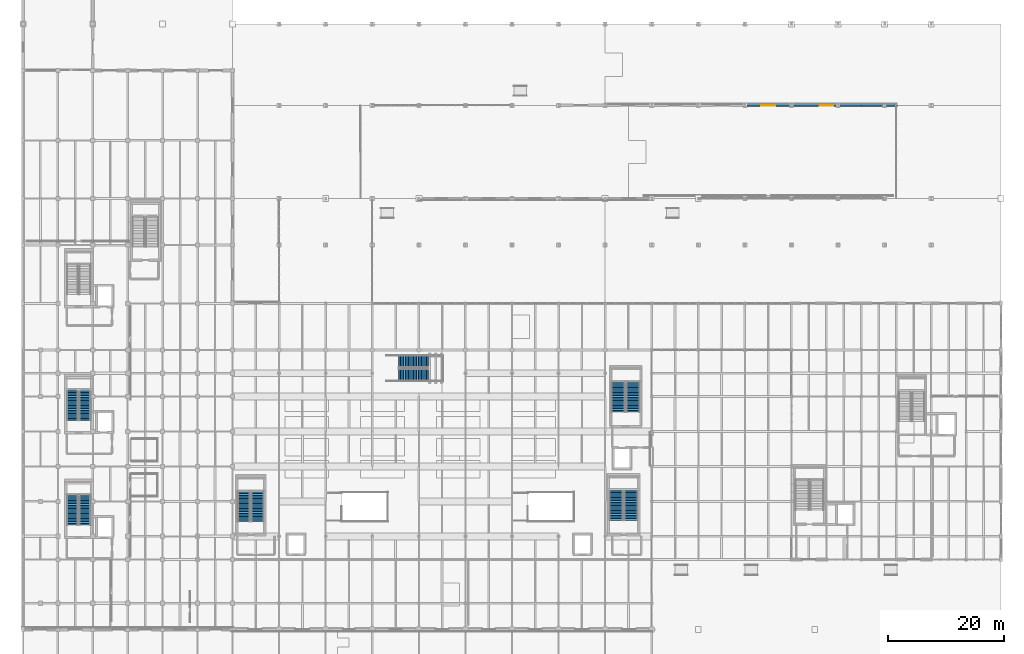
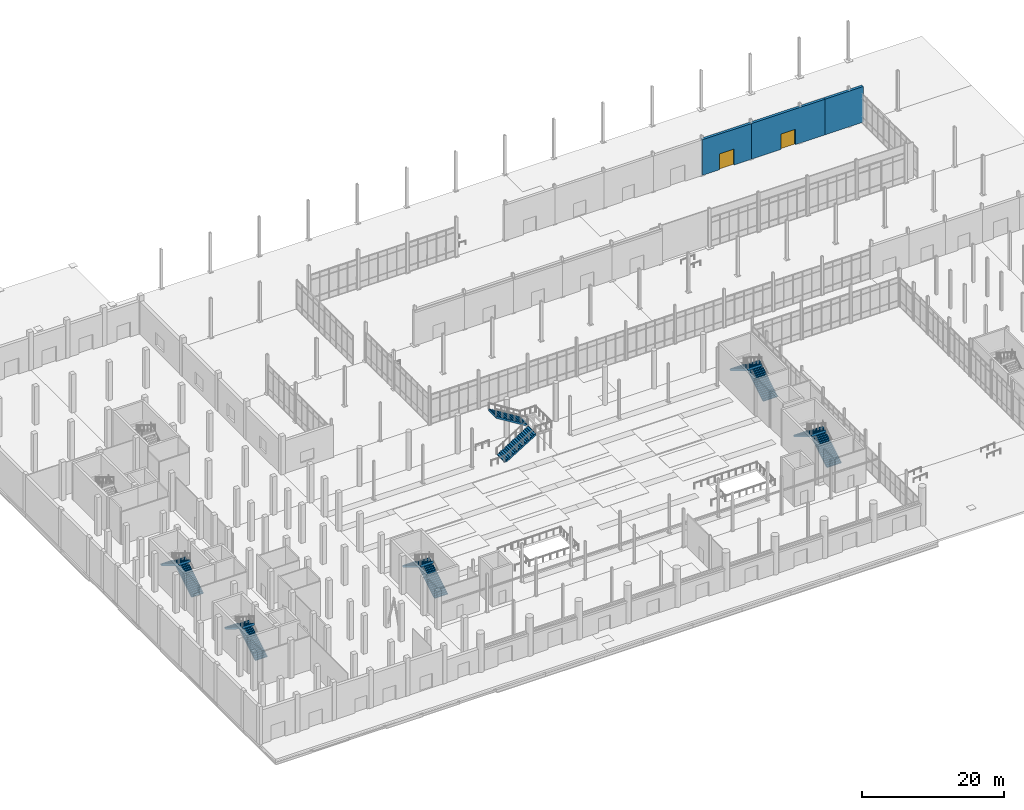
# One storey, part 127 of 140: 12 stair flights, 3 walls, 2 doors, 2 openings, 6 elements without a shape of their own.
"""IFC4 building model written with IfcOpenShell, lengths in metres."""

import ifcopenshell
import ifcopenshell.guid

model = None  # the IFC model being written
_history = None  # IfcOwnerHistory: only IFC2X3 demands one
_inside = {}  # id of a spatial element -> (the spatial element, [elements in it])
_under = {}  # id of a project, library or spatial element -> (it, [spatial elements below it])
_declared = {}  # id of a project -> (the project, [libraries it declares])
_typed = {}  # id of a type object -> (the type object, [elements of that type])
_made_of = {}  # id of a material, layer set ... -> (it, [elements and type objects made of it])


def new_model(schema):
    """Start an empty IFC model of exactly this schema.

    Asked for "IFC4X3", IfcOpenShell would pick the latest addendum, in which some entities
    have other attributes; the version numbers below select the first issue.
    IFC2X3 requires an IfcOwnerHistory on every rooted entity: one is made here for all.
    """
    global model, _history
    if schema == "IFC4X3":
        model = ifcopenshell.file(schema_version=(4, 3, 0, 0))
    else:
        model = ifcopenshell.file(schema=schema)
    _inside.clear()
    _under.clear()
    _declared.clear()
    _typed.clear()
    _made_of.clear()
    _history = None
    if model.schema == "IFC2X3":
        org = make("IfcOrganization", Name="unknown")
        user = make(
            "IfcPersonAndOrganization",
            ThePerson=make("IfcPerson", FamilyName="unknown"),
            TheOrganization=org,
        )
        app = make(
            "IfcApplication",
            ApplicationDeveloper=org,
            Version="unknown",
            ApplicationFullName="unknown",
            ApplicationIdentifier="unknown",
        )
        _history = make(
            "IfcOwnerHistory",
            OwningUser=user,
            OwningApplication=app,
            ChangeAction="ADDED",
            CreationDate=0,
        )
    return model


def make(cls, **values):
    """One entity of the class cls with the attributes given. An attribute that is None is left unset."""
    return model.create_entity(
        cls, **{name: value for name, value in values.items() if value is not None}
    )


def rooted(cls, **values):
    """An entity with a GlobalId (a new one), such as an element, a storey or a relation."""
    return make(cls, GlobalId=ifcopenshell.guid.new(), OwnerHistory=_history, **values)


def si_unit(unit_type, name, prefix=None):
    """IfcSIUnit, for example si_unit("LENGTHUNIT", "METRE", prefix="MILLI")."""
    return make("IfcSIUnit", UnitType=unit_type, Prefix=prefix, Name=name)


def assignment(units):
    """IfcUnitAssignment: the units of a project."""
    return None if units is None else make("IfcUnitAssignment", Units=units)


def point(xyz):
    """IfcCartesianPoint."""
    return None if xyz is None else make("IfcCartesianPoint", Coordinates=xyz)


def direction(xyz):
    """IfcDirection."""
    return None if xyz is None else make("IfcDirection", DirectionRatios=xyz)


def frame(location, z_axis=None, x_axis=None):
    """IfcAxis2Placement3D, a coordinate frame: its origin and axes. An axis left out is left unset."""
    return make(
        "IfcAxis2Placement3D",
        Location=point(location),
        Axis=direction(z_axis),
        RefDirection=direction(x_axis),
    )


def frame_2d(location, x_axis=None):
    """IfcAxis2Placement2D, a coordinate frame in the plane: its origin and x axis."""
    return make(
        "IfcAxis2Placement2D", Location=point(location), RefDirection=direction(x_axis)
    )


def origin():
    """The frame at (0, 0, 0) with its axes left unset."""
    return frame((0.0, 0.0, 0.0))


def place(relative_to, where):
    """IfcLocalPlacement: puts the frame where relative to a parent placement (None: the world)."""
    return make(
        "IfcLocalPlacement", PlacementRelTo=relative_to, RelativePlacement=where
    )


def context(
    kind, dimensions, precision=None, world=None, true_north=None, identifier=None
):
    """IfcGeometricRepresentationContext, for example the 3D "Model" context."""
    return make(
        "IfcGeometricRepresentationContext",
        ContextIdentifier=identifier,
        ContextType=kind,
        CoordinateSpaceDimension=dimensions,
        Precision=precision,
        WorldCoordinateSystem=world,
        TrueNorth=true_north,
    )


def subcontext(parent, identifier, kind, view, scale=None):
    """IfcGeometricRepresentationSubContext, for example "Body" below "Model"."""
    return make(
        "IfcGeometricRepresentationSubContext",
        ContextIdentifier=identifier,
        ContextType=kind,
        ParentContext=parent,
        TargetScale=scale,
        TargetView=view,
    )


def project(units=None, contexts=None):
    """IfcProject with its units and contexts."""
    return rooted(
        "IfcProject",
        Name="project",
        RepresentationContexts=contexts,
        UnitsInContext=assignment(units),
    )


def spatial(cls, under=None, at=None, **own):
    """A site, building, storey or space (cls), placed at a placement, below another one or the project."""
    s = rooted(cls, ObjectPlacement=at, **own)
    if under is not None:
        _under.setdefault(under.id(), (under, []))[1].append(s)
    return s


def polyline(points):
    """IfcPolyline through the points."""
    return make("IfcPolyline", Points=[point(p) for p in points])


def profile(cls, at=None, kind="AREA", **sizes):
    """A parametric profile (cls). Its sizes go by their IFC names, for example OverallWidth=200.0."""
    return make(cls, ProfileType=kind, Position=at, **sizes)


def rectangle(**sizes):
    """IfcRectangleProfileDef."""
    return profile("IfcRectangleProfileDef", **sizes)


def outline(outer, holes=None, kind="AREA"):
    """IfcArbitraryClosedProfileDef: a profile drawn as a closed curve; with holes, ...WithVoids."""
    if holes is None:
        return make("IfcArbitraryClosedProfileDef", ProfileType=kind, OuterCurve=outer)
    return make(
        "IfcArbitraryProfileDefWithVoids",
        ProfileType=kind,
        OuterCurve=outer,
        InnerCurves=holes,
    )


def extrude(swept, where, along, depth):
    """IfcExtrudedAreaSolid: the profile swept, set in the frame where, extruded along a direction by depth."""
    return make(
        "IfcExtrudedAreaSolid",
        SweptArea=swept,
        Position=where,
        ExtrudedDirection=direction(along),
        Depth=depth,
    )


def shape(context_of_items, identifier, shape_type, items):
    """IfcShapeRepresentation: the items that make up one representation, for example the "Body"."""
    return make(
        "IfcShapeRepresentation",
        ContextOfItems=context_of_items,
        RepresentationIdentifier=identifier,
        RepresentationType=shape_type,
        Items=items,
    )


def material(Name=None, Category=None):
    """IfcMaterial."""
    return make("IfcMaterial", Name=Name, Category=Category)


def layer(
    of_material, thickness, ventilated=None, Name=None, Category=None, Priority=None
):
    """IfcMaterialLayer: one layer of a wall or slab, of a material (None: an air gap)."""
    return make(
        "IfcMaterialLayer",
        Material=of_material,
        LayerThickness=thickness,
        IsVentilated=ventilated,
        Name=Name,
        Category=Category,
        Priority=Priority,
    )


def layer_set(layers, Name=None):
    """IfcMaterialLayerSet."""
    return make("IfcMaterialLayerSet", MaterialLayers=layers, LayerSetName=Name)


def made_of(thing, what):
    """Note that an element or type object is made of a material, layer set ...; save() writes the relation."""
    if what is not None:
        _made_of.setdefault(what.id(), (what, []))[1].append(thing)
    return thing


def type_object(cls, material=None, **own):
    """A type object (cls), such as IfcWallType, which elements share."""
    return made_of(rooted(cls, **own), material)


def element(
    cls,
    number,
    at=None,
    inside=None,
    cuts=None,
    type_object=None,
    material=None,
    context=None,
    identifier="Body",
    shape_type=None,
    held_by="IfcProductDefinitionShape",
    body=None,
    shapes=None,
    **own,
):
    """One element of the class cls, such as IfcWall. Its Tag is "e" and its number.

    at: its placement. inside: the storey or other place that contains it. cuts: it is an
    opening in that element (IfcRelVoidsElement). A single representation is given by context,
    identifier, shape_type and body (its items); several are given by shapes. held_by: the class
    of the entity that holds the representations. save() writes the other relations.
    """
    e = rooted(cls, Tag="e%d" % number, ObjectPlacement=at, **own)
    if body is not None:
        shapes = [shape(context, identifier, shape_type, body)]
    if shapes is not None:
        e.Representation = make(held_by, Representations=shapes)
    if inside is not None:
        _inside.setdefault(inside.id(), (inside, []))[1].append(e)
    if cuts is not None:
        rooted(
            "IfcRelVoidsElement", RelatingBuildingElement=cuts, RelatedOpeningElement=e
        )
    if type_object is not None:
        _typed.setdefault(type_object.id(), (type_object, []))[1].append(e)
    return made_of(e, material)


def fill(opening, filler):
    """IfcRelFillsElement: the door or window that sits in an opening."""
    return rooted(
        "IfcRelFillsElement",
        RelatingOpeningElement=opening,
        RelatedBuildingElement=filler,
    )


def aggregate(whole, parts):
    """IfcRelAggregates: a whole, such as a stair, and the parts it consists of."""
    return rooted("IfcRelAggregates", RelatingObject=whole, RelatedObjects=parts)


def save(model, path):
    """Write the relations noted so far, then the file.

    IfcRelAggregates (storeys below a building ...), IfcRelContainedInSpatialStructure (elements
    in a storey), IfcRelDefinesByType, IfcRelAssociatesMaterial and IfcRelDeclares: one each for
    every whole, place, type object, material and project.
    """
    for whole, parts in _under.values():
        aggregate(whole, parts)
    for where, things in _inside.values():
        rooted(
            "IfcRelContainedInSpatialStructure",
            RelatedElements=things,
            RelatingStructure=where,
        )
    for kind, things in _typed.values():
        rooted("IfcRelDefinesByType", RelatedObjects=things, RelatingType=kind)
    for what, things in _made_of.values():
        rooted("IfcRelAssociatesMaterial", RelatedObjects=things, RelatingMaterial=what)
    for by, libraries in _declared.values():
        rooted("IfcRelDeclares", RelatingContext=by, RelatedDefinitions=libraries)
    model.write(path)


model = new_model("IFC4")

# Units and contexts
model_context = context("Model", 3, precision=1e-05, world=origin(), true_north=direction((0.0, 1.0)))
body_context = subcontext(model_context, "Body", "Model", "MODEL_VIEW")
ifc_project = project(units=[si_unit("LENGTHUNIT", "METRE"), si_unit("AREAUNIT", "SQUARE_METRE"), si_unit("VOLUMEUNIT", "CUBIC_METRE"), si_unit("PLANEANGLEUNIT", "RADIAN"), si_unit("MASSUNIT", "GRAM", prefix="KILO")], contexts=[model_context])

# Site, building, storey
site_placement = place(None, origin())
site = spatial("IfcSite", under=ifc_project, at=site_placement, CompositionType="ELEMENT")
building_placement = place(site_placement, origin())
building = spatial("IfcBuilding", under=site, at=building_placement, Name="Verrall Gate Interchange", CompositionType="ELEMENT")
storey_placement = place(building_placement, origin())
storey = spatial("IfcBuildingStorey", under=building, at=storey_placement, Name="L01", CompositionType="ELEMENT", Elevation=0.0)

# Wall
ifc_material_1 = material(Name="Tyndall Dolomitic Limestone Ashlar Cavity Assembly (U=0.18)", Category="masonry")
ifc_layer = layer(ifc_material_1, 0.419921875)
ifc_layer_set = layer_set([ifc_layer], Name="Tyndall Dolomitic Limestone Ashlar Cavity Assembly (U=0.18)")
wall_type = type_object("IfcWallType", Name="EW-01 Exterior Solid Wall 420", PredefinedType="SOLIDWALL", material=ifc_layer_set)
wall_1_placement = place(storey_placement, frame((150.25, 90.0, 0.0), z_axis=(0.0, 0.0, 1.0), x_axis=(-1.0, 0.0, 0.0)))
element("IfcWall", 1, at=wall_1_placement, inside=storey, type_object=wall_type, Name="L01 Classical Limestone Facade Wall 023", PredefinedType="SOLIDWALL", context=body_context, shape_type="SweptSolid", body=[
    extrude(rectangle(XDim=6.258056640625, YDim=0.419921875, at=frame_2d((3.12890625, 0.0))), origin(), (0.0, 0.0, 1.0), 6.147705078125),
])

# Wall, opening, door
wall_2_placement = place(storey_placement, frame((144.008056640625, 90.0, 0.0), z_axis=(0.0, 0.0, 1.0), x_axis=(-1.0, 0.0, 0.0)))
wall_2 = element("IfcWall", 2, at=wall_2_placement, inside=storey, type_object=wall_type, Name="L01 Classical Limestone Facade Wall 024", PredefinedType="SOLIDWALL", context=body_context, shape_type="SweptSolid", body=[
    extrude(rectangle(XDim=12.01611328125, YDim=0.419921875, at=frame_2d((6.008056640625, 0.0))), origin(), (0.0, 0.0, 1.0), 6.147705078125),
])
opening_1_placement = place(wall_2_placement, frame((4.85791015625, 0.0, 0.0)))
opening_1 = element("IfcOpeningElement", 3, at=opening_1_placement, cuts=wall_2, Name="Opening E22", PredefinedType="OPENING", context=body_context, shape_type="SweptSolid", body=[
    extrude(rectangle(XDim=2.300048828125, YDim=2.64990234375, at=frame_2d((1.14990234375, 1.324951171875))), frame((0.0, 0.224853515625, 0.0), z_axis=(0.0, -1.0, 0.0), x_axis=(1.0, 0.0, 0.0)), (0.0, 0.0, 1.0), 0.44970703125),
])
ifc_material_2 = material(Name="Thermally Broken Bronze-Anodized Aluminium Entrance Assembly", Category="aluminium")
door_type_1 = type_object("IfcDoorType", Name="ED-06 Exterior Entrance Door 2300x2650", OperationType="NOTDEFINED", PredefinedType="DOOR", material=ifc_material_2)
door_1_placement = place(opening_1_placement, origin())
door_1 = element("IfcDoor", 4, at=door_1_placement, inside=storey, type_object=door_type_1, Name="Main Interchange Exit Portal E22", OperationType="DOUBLE_DOOR_SINGLE_SWING", OverallHeight=2.64990234375, OverallWidth=2.300048828125, PredefinedType="DOOR", context=body_context, shape_type="SweptSolid", body=[
    extrude(rectangle(XDim=2.300048828125, YDim=2.64990234375, at=frame_2d((1.14990234375, 1.324951171875))), frame((0.0, 0.02490234375, 0.0), z_axis=(0.0, -1.0, 0.0), x_axis=(1.0, 0.0, 0.0)), (0.0, 0.0, 1.0), 0.050048828125),
])
fill(opening_1, door_1)

wall_3_placement = place(storey_placement, frame((132.008056640625, 90.0, 0.0), z_axis=(0.0, 0.0, 1.0), x_axis=(-1.0, 0.0, 0.0)))
wall_3 = element("IfcWall", 5, at=wall_3_placement, inside=storey, type_object=wall_type, Name="L01 Classical Limestone Facade Wall 025", PredefinedType="SOLIDWALL", context=body_context, shape_type="SweptSolid", body=[
    extrude(rectangle(XDim=8.01611328125, YDim=0.419921875, at=frame_2d((4.008056640625, 0.0))), origin(), (0.0, 0.0, 1.0), 6.147705078125),
])
opening_2_placement = place(wall_3_placement, frame((2.837890625, 0.0, 0.0)))
opening_2 = element("IfcOpeningElement", 6, at=opening_2_placement, cuts=wall_3, Name="Opening E23", PredefinedType="OPENING", context=body_context, shape_type="SweptSolid", body=[
    extrude(rectangle(XDim=2.340087890625, YDim=2.75, at=frame_2d((1.169921875, 1.375))), frame((0.0, 0.224853515625, 0.0), z_axis=(0.0, -1.0, 0.0), x_axis=(1.0, 0.0, 0.0)), (0.0, 0.0, 1.0), 0.44970703125),
])
ifc_material_3 = material(Name="Thermally Broken Bronze-Anodized Aluminium Entrance Assembly", Category="aluminium")
door_type_2 = type_object("IfcDoorType", Name="ED-07 Exterior Entrance Door 2340x2750", OperationType="NOTDEFINED", PredefinedType="DOOR", material=ifc_material_3)
door_2_placement = place(opening_2_placement, origin())
door_2 = element("IfcDoor", 7, at=door_2_placement, inside=storey, type_object=door_type_2, Name="Main Interchange Exit Portal E23", OperationType="DOUBLE_DOOR_SINGLE_SWING", OverallHeight=2.75, OverallWidth=2.340087890625, PredefinedType="DOOR", context=body_context, shape_type="SweptSolid", body=[
    extrude(rectangle(XDim=2.340087890625, YDim=2.75, at=frame_2d((1.169921875, 1.375))), frame((0.0, 0.02490234375, 0.0), z_axis=(0.0, -1.0, 0.0), x_axis=(1.0, 0.0, 0.0)), (0.0, 0.0, 1.0), 0.050048828125),
])
fill(opening_2, door_2)

# Stair, stair flights
ifc_material_4 = material(Name="Concrete CSA A23.1 40 MPa (Class N)", Category="concrete")
stair_type_1 = type_object("IfcStairType", Name="ST-T03 Straight-Flight Return Exit Stair W1950 H6600", PredefinedType="STRAIGHT_RUN_STAIR", material=ifc_material_4)
stair_1_placement = place(storey_placement, origin())
stair_1 = element("IfcStair", 8, at=stair_1_placement, inside=storey, type_object=stair_type_1, Name="L01 ST-01", PredefinedType="STRAIGHT_RUN_STAIR")
ifc_material_5 = material(Name="Concrete CSA A23.1 40 MPa (Class N)", Category="concrete")
stair_flight_type_1 = type_object("IfcStairFlightType", Name="SF-T03 Concrete Stair Flight W1950 R174 N38", PredefinedType="STRAIGHT", material=ifc_material_5)
stair_flight_1_placement = place(storey_placement, frame((10.675048828125, 17.949951171875, 0.0), z_axis=(0.0, 0.0, 1.0), x_axis=(0.0, 1.0, 0.0)))
stair_flight_1 = element("IfcStairFlight", 9, at=stair_flight_1_placement, type_object=stair_flight_type_1, Name="ST-01 flight 1", NumberOfRisers=19, NumberOfTreads=18, PredefinedType="STRAIGHT", RiserHeight=0.173684211, TreadLength=0.28, context=body_context, shape_type="SweptSolid", body=[
    extrude(outline(polyline([(-0.034912109375, -0.02001953125), (-0.034912109375, 0.0), (0.0, 0.0), (0.0, 0.173583984375), (0.280029296875, 0.173583984375), (0.280029296875, 0.347412109375), (0.56005859375, 0.347412109375), (0.56005859375, 0.52099609375), (0.840087890625, 0.52099609375), (0.840087890625, 0.69482421875), (1.1201171875, 0.69482421875), (1.1201171875, 0.868408203125), (1.39990234375, 0.868408203125), (1.39990234375, 1.0419921875), (1.679931640625, 1.0419921875), (1.679931640625, 1.2158203125), (1.9599609375, 1.2158203125), (1.9599609375, 1.389404296875), (2.239990234375, 1.389404296875), (2.239990234375, 1.563232421875), (2.52001953125, 1.563232421875), (2.52001953125, 1.73681640625), (2.800048828125, 1.73681640625), (2.800048828125, 1.91064453125), (3.080078125, 1.91064453125), (3.080078125, 2.084228515625), (3.360107421875, 2.084228515625), (3.360107421875, 2.2578125), (3.639892578125, 2.2578125), (3.639892578125, 2.431640625), (3.919921875, 2.431640625), (3.919921875, 2.605224609375), (4.199951171875, 2.605224609375), (4.199951171875, 2.779052734375), (4.47998046875, 2.779052734375), (4.47998046875, 2.95263671875), (4.760009765625, 2.95263671875), (4.760009765625, 3.126220703125), (5.0400390625, 3.126220703125), (5.0400390625, 3.300048828125), (5.074951171875, 3.300048828125), (5.074951171875, 2.89111328125), (0.34716796875, -0.02001953125), (-0.034912109375, -0.02001953125)])), frame((0.0, 0.97509765625, 0.0), z_axis=(0.0, -1.0, 0.0), x_axis=(1.0, 0.0, 0.0)), (0.0, 0.0, 1.0), 1.949951171875),
])
stair_flight_2_placement = place(storey_placement, frame((8.52490234375, 22.989990234375, 3.300048828125), z_axis=(0.0, 0.0, 1.0), x_axis=(0.0, -1.0, 0.0)))
stair_flight_2 = element("IfcStairFlight", 10, at=stair_flight_2_placement, type_object=stair_flight_type_1, Name="ST-01 flight 2", NumberOfRisers=19, NumberOfTreads=18, PredefinedType="STRAIGHT", RiserHeight=0.173684211, TreadLength=0.28, context=body_context, shape_type="SweptSolid", body=[
    extrude(outline(polyline([(-0.034912109375, -0.02001953125), (-0.034912109375, 0.0), (0.0, 0.0), (0.0, 0.173583984375), (0.280029296875, 0.173583984375), (0.280029296875, 0.347412109375), (0.56005859375, 0.347412109375), (0.56005859375, 0.52099609375), (0.840087890625, 0.52099609375), (0.840087890625, 0.69482421875), (1.1201171875, 0.69482421875), (1.1201171875, 0.868408203125), (1.39990234375, 0.868408203125), (1.39990234375, 1.0419921875), (1.679931640625, 1.0419921875), (1.679931640625, 1.2158203125), (1.9599609375, 1.2158203125), (1.9599609375, 1.389404296875), (2.239990234375, 1.389404296875), (2.239990234375, 1.563232421875), (2.52001953125, 1.563232421875), (2.52001953125, 1.73681640625), (2.800048828125, 1.73681640625), (2.800048828125, 1.91064453125), (3.080078125, 1.91064453125), (3.080078125, 2.084228515625), (3.360107421875, 2.084228515625), (3.360107421875, 2.2578125), (3.639892578125, 2.2578125), (3.639892578125, 2.431640625), (3.919921875, 2.431640625), (3.919921875, 2.605224609375), (4.199951171875, 2.605224609375), (4.199951171875, 2.779052734375), (4.47998046875, 2.779052734375), (4.47998046875, 2.95263671875), (4.760009765625, 2.95263671875), (4.760009765625, 3.126220703125), (5.0400390625, 3.126220703125), (5.0400390625, 3.300048828125), (5.074951171875, 3.300048828125), (5.074951171875, 2.89111328125), (0.34716796875, -0.02001953125), (-0.034912109375, -0.02001953125)])), frame((0.0, 0.97509765625, 0.0), z_axis=(0.0, -1.0, 0.0), x_axis=(1.0, 0.0, 0.0)), (0.0, 0.0, 1.0), 1.949951171875),
])
aggregate(stair_1, [stair_flight_1, stair_flight_2])

stair_2_placement = place(storey_placement, origin())
stair_2 = element("IfcStair", 11, at=stair_2_placement, inside=storey, type_object=stair_type_1, Name="L01 ST-02", PredefinedType="STRAIGHT_RUN_STAIR")
stair_flight_3_placement = place(storey_placement, frame((10.675048828125, 35.949951171875, 0.0), z_axis=(0.0, 0.0, 1.0), x_axis=(0.0, 1.0, 0.0)))
stair_flight_3 = element("IfcStairFlight", 12, at=stair_flight_3_placement, type_object=stair_flight_type_1, Name="ST-02 flight 1", NumberOfRisers=19, NumberOfTreads=18, PredefinedType="STRAIGHT", RiserHeight=0.173684211, TreadLength=0.28, context=body_context, shape_type="SweptSolid", body=[
    extrude(outline(polyline([(-0.034912109375, -0.02001953125), (-0.034912109375, 0.0), (0.0, 0.0), (0.0, 0.173583984375), (0.280029296875, 0.173583984375), (0.280029296875, 0.347412109375), (0.56005859375, 0.347412109375), (0.56005859375, 0.52099609375), (0.840087890625, 0.52099609375), (0.840087890625, 0.69482421875), (1.1201171875, 0.69482421875), (1.1201171875, 0.868408203125), (1.39990234375, 0.868408203125), (1.39990234375, 1.0419921875), (1.679931640625, 1.0419921875), (1.679931640625, 1.2158203125), (1.9599609375, 1.2158203125), (1.9599609375, 1.389404296875), (2.239990234375, 1.389404296875), (2.239990234375, 1.563232421875), (2.52001953125, 1.563232421875), (2.52001953125, 1.73681640625), (2.800048828125, 1.73681640625), (2.800048828125, 1.91064453125), (3.080078125, 1.91064453125), (3.080078125, 2.084228515625), (3.360107421875, 2.084228515625), (3.360107421875, 2.2578125), (3.639892578125, 2.2578125), (3.639892578125, 2.431640625), (3.919921875, 2.431640625), (3.919921875, 2.605224609375), (4.199951171875, 2.605224609375), (4.199951171875, 2.779052734375), (4.47998046875, 2.779052734375), (4.47998046875, 2.95263671875), (4.760009765625, 2.95263671875), (4.760009765625, 3.126220703125), (5.0400390625, 3.126220703125), (5.0400390625, 3.300048828125), (5.074951171875, 3.300048828125), (5.074951171875, 2.89111328125), (0.34716796875, -0.02001953125), (-0.034912109375, -0.02001953125)])), frame((0.0, 0.97509765625, 0.0), z_axis=(0.0, -1.0, 0.0), x_axis=(1.0, 0.0, 0.0)), (0.0, 0.0, 1.0), 1.949951171875),
])
stair_flight_4_placement = place(storey_placement, frame((8.52490234375, 40.989990234375, 3.300048828125), z_axis=(0.0, 0.0, 1.0), x_axis=(0.0, -1.0, 0.0)))
stair_flight_4 = element("IfcStairFlight", 13, at=stair_flight_4_placement, type_object=stair_flight_type_1, Name="ST-02 flight 2", NumberOfRisers=19, NumberOfTreads=18, PredefinedType="STRAIGHT", RiserHeight=0.173684211, TreadLength=0.28, context=body_context, shape_type="SweptSolid", body=[
    extrude(outline(polyline([(-0.034912109375, -0.02001953125), (-0.034912109375, 0.0), (0.0, 0.0), (0.0, 0.173583984375), (0.280029296875, 0.173583984375), (0.280029296875, 0.347412109375), (0.56005859375, 0.347412109375), (0.56005859375, 0.52099609375), (0.840087890625, 0.52099609375), (0.840087890625, 0.69482421875), (1.1201171875, 0.69482421875), (1.1201171875, 0.868408203125), (1.39990234375, 0.868408203125), (1.39990234375, 1.0419921875), (1.679931640625, 1.0419921875), (1.679931640625, 1.2158203125), (1.9599609375, 1.2158203125), (1.9599609375, 1.389404296875), (2.239990234375, 1.389404296875), (2.239990234375, 1.563232421875), (2.52001953125, 1.563232421875), (2.52001953125, 1.73681640625), (2.800048828125, 1.73681640625), (2.800048828125, 1.91064453125), (3.080078125, 1.91064453125), (3.080078125, 2.084228515625), (3.360107421875, 2.084228515625), (3.360107421875, 2.2578125), (3.639892578125, 2.2578125), (3.639892578125, 2.431640625), (3.919921875, 2.431640625), (3.919921875, 2.605224609375), (4.199951171875, 2.605224609375), (4.199951171875, 2.779052734375), (4.47998046875, 2.779052734375), (4.47998046875, 2.95263671875), (4.760009765625, 2.95263671875), (4.760009765625, 3.126220703125), (5.0400390625, 3.126220703125), (5.0400390625, 3.300048828125), (5.074951171875, 3.300048828125), (5.074951171875, 2.89111328125), (0.34716796875, -0.02001953125), (-0.034912109375, -0.02001953125)])), frame((0.0, 0.97509765625, 0.0), z_axis=(0.0, -1.0, 0.0), x_axis=(1.0, 0.0, 0.0)), (0.0, 0.0, 1.0), 1.949951171875),
])
aggregate(stair_2, [stair_flight_3, stair_flight_4])

ifc_material_6 = material(Name="Concrete CSA A23.1 40 MPa (Class N)", Category="concrete")
stair_type_2 = type_object("IfcStairType", Name="ST-T09 Straight-Flight Return Exit Stair W2150 H6600", PredefinedType="STRAIGHT_RUN_STAIR", material=ifc_material_6)
stair_3_placement = place(storey_placement, origin())
stair_3 = element("IfcStair", 14, at=stair_3_placement, inside=storey, type_object=stair_type_2, Name="L01 ST-05", PredefinedType="STRAIGHT_RUN_STAIR")
ifc_material_7 = material(Name="Concrete CSA A23.1 40 MPa (Class N)", Category="concrete")
stair_flight_type_2 = type_object("IfcStairFlightType", Name="SF-T09 Concrete Stair Flight W2150 R174 N38", PredefinedType="STRAIGHT", material=ifc_material_7)
stair_flight_5_placement = place(storey_placement, frame((40.324951171875, 18.550048828125, 0.0), z_axis=(0.0, 0.0, 1.0), x_axis=(0.0, 1.0, 0.0)))
stair_flight_5 = element("IfcStairFlight", 15, at=stair_flight_5_placement, type_object=stair_flight_type_2, Name="ST-05 flight 1", NumberOfRisers=19, NumberOfTreads=18, PredefinedType="STRAIGHT", RiserHeight=0.173684211, TreadLength=0.28, context=body_context, shape_type="SweptSolid", body=[
    extrude(outline(polyline([(-0.034912109375, -0.02001953125), (-0.034912109375, 0.0), (0.0, 0.0), (0.0, 0.173583984375), (0.280029296875, 0.173583984375), (0.280029296875, 0.347412109375), (0.56005859375, 0.347412109375), (0.56005859375, 0.52099609375), (0.840087890625, 0.52099609375), (0.840087890625, 0.69482421875), (1.1201171875, 0.69482421875), (1.1201171875, 0.868408203125), (1.39990234375, 0.868408203125), (1.39990234375, 1.0419921875), (1.679931640625, 1.0419921875), (1.679931640625, 1.2158203125), (1.9599609375, 1.2158203125), (1.9599609375, 1.389404296875), (2.239990234375, 1.389404296875), (2.239990234375, 1.563232421875), (2.52001953125, 1.563232421875), (2.52001953125, 1.73681640625), (2.800048828125, 1.73681640625), (2.800048828125, 1.91064453125), (3.080078125, 1.91064453125), (3.080078125, 2.084228515625), (3.360107421875, 2.084228515625), (3.360107421875, 2.2578125), (3.639892578125, 2.2578125), (3.639892578125, 2.431640625), (3.919921875, 2.431640625), (3.919921875, 2.605224609375), (4.199951171875, 2.605224609375), (4.199951171875, 2.779052734375), (4.47998046875, 2.779052734375), (4.47998046875, 2.95263671875), (4.760009765625, 2.95263671875), (4.760009765625, 3.126220703125), (5.0400390625, 3.126220703125), (5.0400390625, 3.300048828125), (5.074951171875, 3.300048828125), (5.074951171875, 2.89111328125), (0.34716796875, -0.02001953125), (-0.034912109375, -0.02001953125)])), frame((0.0, 1.074951171875, 0.0), z_axis=(0.0, -1.0, 0.0), x_axis=(1.0, 0.0, 0.0)), (0.0, 0.0, 1.0), 2.14990234375),
])
stair_flight_6_placement = place(storey_placement, frame((37.97509765625, 23.590087890625, 3.300048828125), z_axis=(0.0, 0.0, 1.0), x_axis=(0.0, -1.0, 0.0)))
stair_flight_6 = element("IfcStairFlight", 16, at=stair_flight_6_placement, type_object=stair_flight_type_2, Name="ST-05 flight 2", NumberOfRisers=19, NumberOfTreads=18, PredefinedType="STRAIGHT", RiserHeight=0.173684211, TreadLength=0.28, context=body_context, shape_type="SweptSolid", body=[
    extrude(outline(polyline([(-0.034912109375, -0.02001953125), (-0.034912109375, 0.0), (0.0, 0.0), (0.0, 0.173583984375), (0.280029296875, 0.173583984375), (0.280029296875, 0.347412109375), (0.56005859375, 0.347412109375), (0.56005859375, 0.52099609375), (0.840087890625, 0.52099609375), (0.840087890625, 0.69482421875), (1.1201171875, 0.69482421875), (1.1201171875, 0.868408203125), (1.39990234375, 0.868408203125), (1.39990234375, 1.0419921875), (1.679931640625, 1.0419921875), (1.679931640625, 1.2158203125), (1.9599609375, 1.2158203125), (1.9599609375, 1.389404296875), (2.239990234375, 1.389404296875), (2.239990234375, 1.563232421875), (2.52001953125, 1.563232421875), (2.52001953125, 1.73681640625), (2.800048828125, 1.73681640625), (2.800048828125, 1.91064453125), (3.080078125, 1.91064453125), (3.080078125, 2.084228515625), (3.360107421875, 2.084228515625), (3.360107421875, 2.2578125), (3.639892578125, 2.2578125), (3.639892578125, 2.431640625), (3.919921875, 2.431640625), (3.919921875, 2.605224609375), (4.199951171875, 2.605224609375), (4.199951171875, 2.779052734375), (4.47998046875, 2.779052734375), (4.47998046875, 2.95263671875), (4.760009765625, 2.95263671875), (4.760009765625, 3.126220703125), (5.0400390625, 3.126220703125), (5.0400390625, 3.300048828125), (5.074951171875, 3.300048828125), (5.074951171875, 2.89111328125), (0.34716796875, -0.02001953125), (-0.034912109375, -0.02001953125)])), frame((0.0, 1.074951171875, 0.0), z_axis=(0.0, -1.0, 0.0), x_axis=(1.0, 0.0, 0.0)), (0.0, 0.0, 1.0), 2.14990234375),
])
aggregate(stair_3, [stair_flight_5, stair_flight_6])

stair_4_placement = place(storey_placement, origin())
stair_4 = element("IfcStair", 17, at=stair_4_placement, inside=storey, type_object=stair_type_2, Name="L01 ST-12", PredefinedType="STRAIGHT_RUN_STAIR")
stair_flight_7_placement = place(storey_placement, frame((64.550048828125, 43.675048828125, 0.0), z_axis=(0.0, 0.0, 1.0), x_axis=(1.0, 0.0, 0.0)))
stair_flight_7 = element("IfcStairFlight", 18, at=stair_flight_7_placement, type_object=stair_flight_type_2, Name="ST-12 flight 1", NumberOfRisers=19, NumberOfTreads=18, PredefinedType="STRAIGHT", RiserHeight=0.173684211, TreadLength=0.28, context=body_context, shape_type="SweptSolid", body=[
    extrude(outline(polyline([(-0.034912109375, -0.02001953125), (-0.034912109375, 0.0), (0.0, 0.0), (0.0, 0.173583984375), (0.280029296875, 0.173583984375), (0.280029296875, 0.347412109375), (0.56005859375, 0.347412109375), (0.56005859375, 0.52099609375), (0.840087890625, 0.52099609375), (0.840087890625, 0.69482421875), (1.1201171875, 0.69482421875), (1.1201171875, 0.868408203125), (1.39990234375, 0.868408203125), (1.39990234375, 1.0419921875), (1.679931640625, 1.0419921875), (1.679931640625, 1.2158203125), (1.9599609375, 1.2158203125), (1.9599609375, 1.389404296875), (2.239990234375, 1.389404296875), (2.239990234375, 1.563232421875), (2.52001953125, 1.563232421875), (2.52001953125, 1.73681640625), (2.800048828125, 1.73681640625), (2.800048828125, 1.91064453125), (3.080078125, 1.91064453125), (3.080078125, 2.084228515625), (3.360107421875, 2.084228515625), (3.360107421875, 2.2578125), (3.639892578125, 2.2578125), (3.639892578125, 2.431640625), (3.919921875, 2.431640625), (3.919921875, 2.605224609375), (4.199951171875, 2.605224609375), (4.199951171875, 2.779052734375), (4.47998046875, 2.779052734375), (4.47998046875, 2.95263671875), (4.760009765625, 2.95263671875), (4.760009765625, 3.126220703125), (5.0400390625, 3.126220703125), (5.0400390625, 3.300048828125), (5.074951171875, 3.300048828125), (5.074951171875, 2.867431640625), (0.385009765625, -0.02001953125), (-0.034912109375, -0.02001953125)])), frame((0.0, 1.074951171875, 0.0), z_axis=(0.0, -1.0, 0.0), x_axis=(1.0, 0.0, 0.0)), (0.0, 0.0, 1.0), 2.14990234375),
])
stair_flight_8_placement = place(storey_placement, frame((69.590087890625, 46.02490234375, 3.300048828125), z_axis=(0.0, 0.0, 1.0), x_axis=(-1.0, 0.0, 0.0)))
stair_flight_8 = element("IfcStairFlight", 19, at=stair_flight_8_placement, type_object=stair_flight_type_2, Name="ST-12 flight 2", NumberOfRisers=19, NumberOfTreads=18, PredefinedType="STRAIGHT", RiserHeight=0.173684211, TreadLength=0.28, context=body_context, shape_type="SweptSolid", body=[
    extrude(outline(polyline([(-0.034912109375, -0.02001953125), (-0.034912109375, 0.0), (0.0, 0.0), (0.0, 0.173583984375), (0.280029296875, 0.173583984375), (0.280029296875, 0.347412109375), (0.56005859375, 0.347412109375), (0.56005859375, 0.52099609375), (0.840087890625, 0.52099609375), (0.840087890625, 0.69482421875), (1.1201171875, 0.69482421875), (1.1201171875, 0.868408203125), (1.39990234375, 0.868408203125), (1.39990234375, 1.0419921875), (1.679931640625, 1.0419921875), (1.679931640625, 1.2158203125), (1.9599609375, 1.2158203125), (1.9599609375, 1.389404296875), (2.239990234375, 1.389404296875), (2.239990234375, 1.563232421875), (2.52001953125, 1.563232421875), (2.52001953125, 1.73681640625), (2.800048828125, 1.73681640625), (2.800048828125, 1.91064453125), (3.080078125, 1.91064453125), (3.080078125, 2.084228515625), (3.360107421875, 2.084228515625), (3.360107421875, 2.2578125), (3.639892578125, 2.2578125), (3.639892578125, 2.431640625), (3.919921875, 2.431640625), (3.919921875, 2.605224609375), (4.199951171875, 2.605224609375), (4.199951171875, 2.779052734375), (4.47998046875, 2.779052734375), (4.47998046875, 2.95263671875), (4.760009765625, 2.95263671875), (4.760009765625, 3.126220703125), (5.0400390625, 3.126220703125), (5.0400390625, 3.300048828125), (5.074951171875, 3.300048828125), (5.074951171875, 2.867431640625), (0.385009765625, -0.02001953125), (-0.034912109375, -0.02001953125)])), frame((0.0, 1.074951171875, 0.0), z_axis=(0.0, -1.0, 0.0), x_axis=(1.0, 0.0, 0.0)), (0.0, 0.0, 1.0), 2.14990234375),
])
aggregate(stair_4, [stair_flight_7, stair_flight_8])

ifc_material_8 = material(Name="Concrete CSA A23.1 40 MPa (Class N)", Category="concrete")
stair_type_3 = type_object("IfcStairType", Name="ST-T13 Straight-Flight Return Exit Stair W2350 H6600", PredefinedType="STRAIGHT_RUN_STAIR", material=ifc_material_8)
stair_5_placement = place(storey_placement, origin())
stair_5 = element("IfcStair", 20, at=stair_5_placement, inside=storey, type_object=stair_type_3, Name="L01 ST-06", PredefinedType="STRAIGHT_RUN_STAIR")
ifc_material_9 = material(Name="Concrete CSA A23.1 40 MPa (Class N)", Category="concrete")
stair_flight_type_3 = type_object("IfcStairFlightType", Name="SF-T13 Concrete Stair Flight W2350 R174 N38", PredefinedType="STRAIGHT", material=ifc_material_9)
stair_flight_9_placement = place(storey_placement, frame((104.465087890625, 18.75, 0.0), z_axis=(0.0, 0.0, 1.0), x_axis=(0.0, 1.0, 0.0)))
stair_flight_9 = element("IfcStairFlight", 21, at=stair_flight_9_placement, type_object=stair_flight_type_3, Name="ST-06 flight 1", NumberOfRisers=19, NumberOfTreads=18, PredefinedType="STRAIGHT", RiserHeight=0.173684211, TreadLength=0.28, context=body_context, shape_type="SweptSolid", body=[
    extrude(outline(polyline([(-0.034912109375, -0.02001953125), (-0.034912109375, 0.0), (0.0, 0.0), (0.0, 0.173583984375), (0.280029296875, 0.173583984375), (0.280029296875, 0.347412109375), (0.56005859375, 0.347412109375), (0.56005859375, 0.52099609375), (0.840087890625, 0.52099609375), (0.840087890625, 0.69482421875), (1.1201171875, 0.69482421875), (1.1201171875, 0.868408203125), (1.39990234375, 0.868408203125), (1.39990234375, 1.0419921875), (1.679931640625, 1.0419921875), (1.679931640625, 1.2158203125), (1.9599609375, 1.2158203125), (1.9599609375, 1.389404296875), (2.239990234375, 1.389404296875), (2.239990234375, 1.563232421875), (2.52001953125, 1.563232421875), (2.52001953125, 1.73681640625), (2.800048828125, 1.73681640625), (2.800048828125, 1.91064453125), (3.080078125, 1.91064453125), (3.080078125, 2.084228515625), (3.360107421875, 2.084228515625), (3.360107421875, 2.2578125), (3.639892578125, 2.2578125), (3.639892578125, 2.431640625), (3.919921875, 2.431640625), (3.919921875, 2.605224609375), (4.199951171875, 2.605224609375), (4.199951171875, 2.779052734375), (4.47998046875, 2.779052734375), (4.47998046875, 2.95263671875), (4.760009765625, 2.95263671875), (4.760009765625, 3.126220703125), (5.0400390625, 3.126220703125), (5.0400390625, 3.300048828125), (5.074951171875, 3.300048828125), (5.074951171875, 2.89111328125), (0.34716796875, -0.02001953125), (-0.034912109375, -0.02001953125)])), frame((0.0, 1.175048828125, 0.0), z_axis=(0.0, -1.0, 0.0), x_axis=(1.0, 0.0, 0.0)), (0.0, 0.0, 1.0), 2.35009765625),
])
stair_flight_10_placement = place(storey_placement, frame((101.9150390625, 23.7900390625, 3.300048828125), z_axis=(0.0, 0.0, 1.0), x_axis=(0.0, -1.0, 0.0)))
stair_flight_10 = element("IfcStairFlight", 22, at=stair_flight_10_placement, type_object=stair_flight_type_3, Name="ST-06 flight 2", NumberOfRisers=19, NumberOfTreads=18, PredefinedType="STRAIGHT", RiserHeight=0.173684211, TreadLength=0.28, context=body_context, shape_type="SweptSolid", body=[
    extrude(outline(polyline([(-0.034912109375, -0.02001953125), (-0.034912109375, 0.0), (0.0, 0.0), (0.0, 0.173583984375), (0.280029296875, 0.173583984375), (0.280029296875, 0.347412109375), (0.56005859375, 0.347412109375), (0.56005859375, 0.52099609375), (0.840087890625, 0.52099609375), (0.840087890625, 0.69482421875), (1.1201171875, 0.69482421875), (1.1201171875, 0.868408203125), (1.39990234375, 0.868408203125), (1.39990234375, 1.0419921875), (1.679931640625, 1.0419921875), (1.679931640625, 1.2158203125), (1.9599609375, 1.2158203125), (1.9599609375, 1.389404296875), (2.239990234375, 1.389404296875), (2.239990234375, 1.563232421875), (2.52001953125, 1.563232421875), (2.52001953125, 1.73681640625), (2.800048828125, 1.73681640625), (2.800048828125, 1.91064453125), (3.080078125, 1.91064453125), (3.080078125, 2.084228515625), (3.360107421875, 2.084228515625), (3.360107421875, 2.2578125), (3.639892578125, 2.2578125), (3.639892578125, 2.431640625), (3.919921875, 2.431640625), (3.919921875, 2.605224609375), (4.199951171875, 2.605224609375), (4.199951171875, 2.779052734375), (4.47998046875, 2.779052734375), (4.47998046875, 2.95263671875), (4.760009765625, 2.95263671875), (4.760009765625, 3.126220703125), (5.0400390625, 3.126220703125), (5.0400390625, 3.300048828125), (5.074951171875, 3.300048828125), (5.074951171875, 2.89111328125), (0.34716796875, -0.02001953125), (-0.034912109375, -0.02001953125)])), frame((0.0, 1.175048828125, 0.0), z_axis=(0.0, -1.0, 0.0), x_axis=(1.0, 0.0, 0.0)), (0.0, 0.0, 1.0), 2.35009765625),
])
aggregate(stair_5, [stair_flight_9, stair_flight_10])

stair_6_placement = place(storey_placement, origin())
stair_6 = element("IfcStair", 23, at=stair_6_placement, inside=storey, type_object=stair_type_3, Name="L01 ST-07", PredefinedType="STRAIGHT_RUN_STAIR")
stair_flight_11_placement = place(storey_placement, frame((104.824951171875, 37.35009765625, 0.0), z_axis=(0.0, 0.0, 1.0), x_axis=(0.0, 1.0, 0.0)))
stair_flight_11 = element("IfcStairFlight", 24, at=stair_flight_11_placement, type_object=stair_flight_type_3, Name="ST-07 flight 1", NumberOfRisers=19, NumberOfTreads=18, PredefinedType="STRAIGHT", RiserHeight=0.173684211, TreadLength=0.28, context=body_context, shape_type="SweptSolid", body=[
    extrude(outline(polyline([(-0.034912109375, -0.02001953125), (-0.034912109375, 0.0), (0.0, 0.0), (0.0, 0.173583984375), (0.280029296875, 0.173583984375), (0.280029296875, 0.347412109375), (0.56005859375, 0.347412109375), (0.56005859375, 0.52099609375), (0.840087890625, 0.52099609375), (0.840087890625, 0.69482421875), (1.1201171875, 0.69482421875), (1.1201171875, 0.868408203125), (1.39990234375, 0.868408203125), (1.39990234375, 1.0419921875), (1.679931640625, 1.0419921875), (1.679931640625, 1.2158203125), (1.9599609375, 1.2158203125), (1.9599609375, 1.389404296875), (2.239990234375, 1.389404296875), (2.239990234375, 1.563232421875), (2.52001953125, 1.563232421875), (2.52001953125, 1.73681640625), (2.800048828125, 1.73681640625), (2.800048828125, 1.91064453125), (3.080078125, 1.91064453125), (3.080078125, 2.084228515625), (3.360107421875, 2.084228515625), (3.360107421875, 2.2578125), (3.639892578125, 2.2578125), (3.639892578125, 2.431640625), (3.919921875, 2.431640625), (3.919921875, 2.605224609375), (4.199951171875, 2.605224609375), (4.199951171875, 2.779052734375), (4.47998046875, 2.779052734375), (4.47998046875, 2.95263671875), (4.760009765625, 2.95263671875), (4.760009765625, 3.126220703125), (5.0400390625, 3.126220703125), (5.0400390625, 3.300048828125), (5.074951171875, 3.300048828125), (5.074951171875, 2.89111328125), (0.34716796875, -0.02001953125), (-0.034912109375, -0.02001953125)])), frame((0.0, 1.175048828125, 0.0), z_axis=(0.0, -1.0, 0.0), x_axis=(1.0, 0.0, 0.0)), (0.0, 0.0, 1.0), 2.35009765625),
])
stair_flight_12_placement = place(storey_placement, frame((102.27490234375, 42.389892578125, 3.300048828125), z_axis=(0.0, 0.0, 1.0), x_axis=(0.0, -1.0, 0.0)))
stair_flight_12 = element("IfcStairFlight", 25, at=stair_flight_12_placement, type_object=stair_flight_type_3, Name="ST-07 flight 2", NumberOfRisers=19, NumberOfTreads=18, PredefinedType="STRAIGHT", RiserHeight=0.173684211, TreadLength=0.28, context=body_context, shape_type="SweptSolid", body=[
    extrude(outline(polyline([(-0.034912109375, -0.02001953125), (-0.034912109375, 0.0), (0.0, 0.0), (0.0, 0.173583984375), (0.280029296875, 0.173583984375), (0.280029296875, 0.347412109375), (0.56005859375, 0.347412109375), (0.56005859375, 0.52099609375), (0.840087890625, 0.52099609375), (0.840087890625, 0.69482421875), (1.1201171875, 0.69482421875), (1.1201171875, 0.868408203125), (1.39990234375, 0.868408203125), (1.39990234375, 1.0419921875), (1.679931640625, 1.0419921875), (1.679931640625, 1.2158203125), (1.9599609375, 1.2158203125), (1.9599609375, 1.389404296875), (2.239990234375, 1.389404296875), (2.239990234375, 1.563232421875), (2.52001953125, 1.563232421875), (2.52001953125, 1.73681640625), (2.800048828125, 1.73681640625), (2.800048828125, 1.91064453125), (3.080078125, 1.91064453125), (3.080078125, 2.084228515625), (3.360107421875, 2.084228515625), (3.360107421875, 2.2578125), (3.639892578125, 2.2578125), (3.639892578125, 2.431640625), (3.919921875, 2.431640625), (3.919921875, 2.605224609375), (4.199951171875, 2.605224609375), (4.199951171875, 2.779052734375), (4.47998046875, 2.779052734375), (4.47998046875, 2.95263671875), (4.760009765625, 2.95263671875), (4.760009765625, 3.126220703125), (5.0400390625, 3.126220703125), (5.0400390625, 3.300048828125), (5.074951171875, 3.300048828125), (5.074951171875, 2.89111328125), (0.34716796875, -0.02001953125), (-0.034912109375, -0.02001953125)])), frame((0.0, 1.175048828125, 0.0), z_axis=(0.0, -1.0, 0.0), x_axis=(1.0, 0.0, 0.0)), (0.0, 0.0, 1.0), 2.35009765625),
])
aggregate(stair_6, [stair_flight_11, stair_flight_12])

save(model, "model.ifc")
